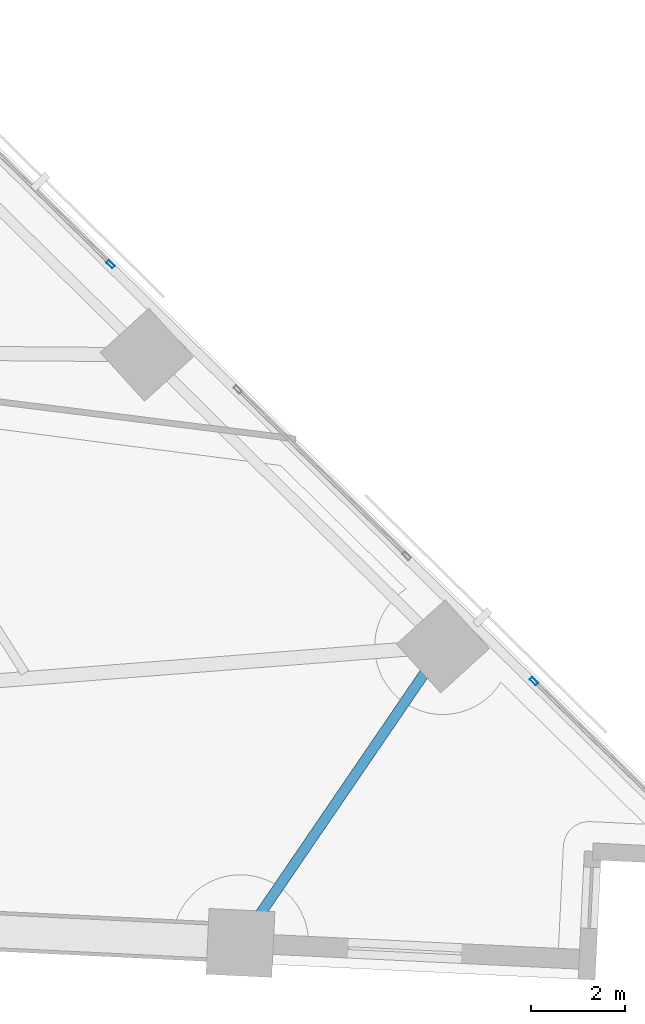
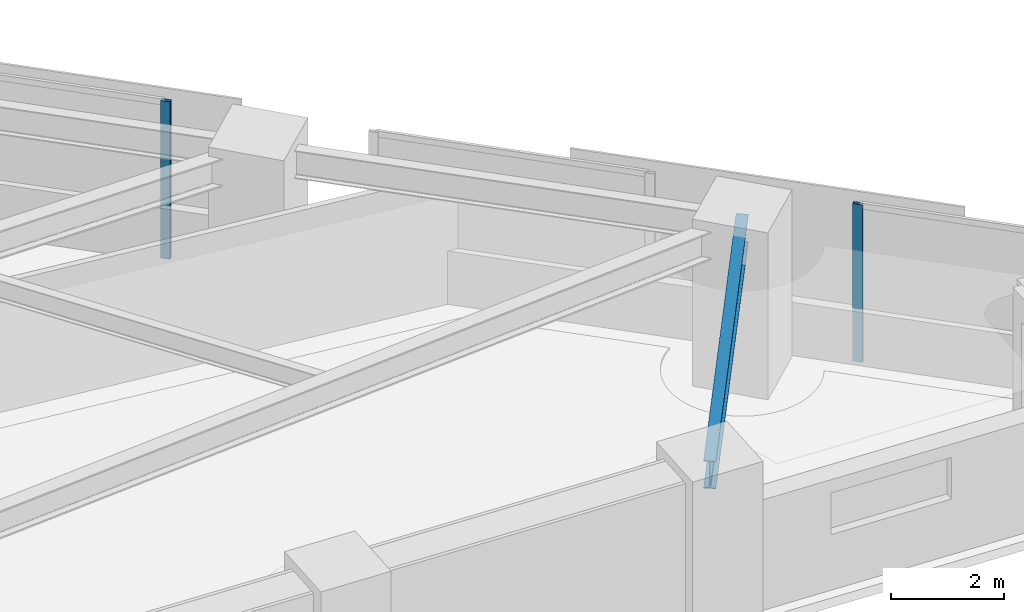
# One storey, part 4 of 17: 2 members, 1 beam, 2 elements without a shape of their own.
"""IFC4 building model written with IfcOpenShell, lengths in metres."""

from ifc_helpers import new_model, si_unit, direction, frame, origin, origin_2d, place, context, subcontext, project, spatial, hollow_rectangle, i_section, extrude, material, material_profile, profile_set, type_object, element, aggregate, save


model = new_model("IFC4")

# Units and contexts
model_context = context("Model", 3, precision=1e-05, world=origin(), true_north=direction((0.0, 1.0)))
body_context = subcontext(model_context, "Body", "Model", "MODEL_VIEW")
ifc_project = project(units=[si_unit("LENGTHUNIT", "METRE"), si_unit("AREAUNIT", "SQUARE_METRE"), si_unit("VOLUMEUNIT", "CUBIC_METRE"), si_unit("PLANEANGLEUNIT", "RADIAN"), si_unit("MASSUNIT", "GRAM", prefix="KILO")], contexts=[model_context])

# Site, building, storey
site_placement = place(None, origin())
site = spatial("IfcSite", under=ifc_project, at=site_placement, CompositionType="ELEMENT")
building_placement = place(site_placement, origin())
building = spatial("IfcBuilding", under=site, at=building_placement, Name="Narakoshi Arena Tower", CompositionType="ELEMENT")
storey_placement = place(building_placement, frame((0.0, 0.0, 51.89990234375)))
storey = spatial("IfcBuildingStorey", under=building, at=storey_placement, Name="L13", CompositionType="ELEMENT", Elevation=51.89990234375)

# Beam
ifc_material_1 = material(Name="Structural steel S355J2", Category="steel")
ifc_material_profile_1 = material_profile(ifc_material_1, i_section(OverallWidth=0.219970703125, OverallDepth=0.60009765625, WebThickness=0.011962890625, FlangeThickness=0.01904296875, FilletRadius=0.02392578125, at=origin_2d()), Name="IPE600")
ifc_profile_set_1 = profile_set([ifc_material_profile_1], Name="Structural steel S355J2")
beam_type = type_object("IfcBeamType", Name="BM-EDGE-600", PredefinedType="BEAM", material=ifc_profile_set_1)
beam_placement = place(storey_placement, frame((110.636474609375, 30.661865234375, 3.10009765625), z_axis=(0.563755333308, 0.825941840668, 0.0), x_axis=(-0.825941840668, 0.563755333308, 0.0)))
element("IfcBeam", 1, at=beam_placement, inside=storey, type_object=beam_type, Name="L13 Perimeter Edge Girder 04", PredefinedType="BEAM", context=body_context, shape_type="SweptSolid", body=[
    extrude(i_section(OverallWidth=0.219970703125, OverallDepth=0.60009765625, WebThickness=0.011962890625, FlangeThickness=0.01904296875, FilletRadius=0.02392578125, at=origin_2d()), origin(), (0.0, 0.0, 1.0), 7.637451171875),
])

# Curtain wall, member
ifc_material_2 = material(Name="Anodised bronze aluminium 6063-T6", Category="aluminium")
curtain_wall_type = type_object("IfcCurtainWallType", Name="CW-HYP-LOW", PredefinedType="NOTDEFINED", material=ifc_material_2)
curtain_wall_1_placement = place(storey_placement, origin())
curtain_wall_1 = element("IfcCurtainWall", 2, at=curtain_wall_1_placement, inside=storey, type_object=curtain_wall_type, Name="L13 Folded Hypotenuse Curtain Wall 1-1", PredefinedType="NOTDEFINED")
ifc_material_profile_2 = material_profile(ifc_material_2, hollow_rectangle(XDim=0.074951171875, YDim=0.179931640625, WallThickness=0.00390625, OuterFilletRadius=0.0048828125, at=origin_2d()), Name="MUL180x75x4")
ifc_profile_set_2 = profile_set([ifc_material_profile_2], Name="Anodised bronze aluminium 6063-T6")
member_type = type_object("IfcMemberType", Name="MEM-MUL-180", PredefinedType="MULLION", material=ifc_profile_set_2)
member_1_placement = place(storey_placement, frame((116.87744140625, 36.229248046875, 0.0), z_axis=(0.0, 0.0, 1.0), x_axis=(-0.701630192894, -0.712541277695, 0.0)))
member_1 = element("IfcMember", 3, at=member_1_placement, type_object=member_type, Name="CW-01 mullion 2", PredefinedType="MULLION", context=body_context, shape_type="SweptSolid", body=[
    extrude(hollow_rectangle(XDim=0.074951171875, YDim=0.179931640625, WallThickness=0.00390625, OuterFilletRadius=0.0048828125, at=origin_2d()), origin(), (0.0, 0.0, 1.0), 3.400146484375),
])
aggregate(curtain_wall_1, [member_1])

curtain_wall_2_placement = place(storey_placement, origin())
curtain_wall_2 = element("IfcCurtainWall", 4, at=curtain_wall_2_placement, inside=storey, type_object=curtain_wall_type, Name="L13 Folded Hypotenuse Curtain Wall 1-3", PredefinedType="NOTDEFINED")
member_2_placement = place(storey_placement, frame((107.872802734375, 45.095947265625, 0.0), z_axis=(0.0, 0.0, 1.0), x_axis=(-0.701632802488, -0.712538708053, 0.0)))
member_2 = element("IfcMember", 5, at=member_2_placement, type_object=member_type, Name="CW-01 mullion 1", PredefinedType="MULLION", context=body_context, shape_type="SweptSolid", body=[
    extrude(hollow_rectangle(XDim=0.074951171875, YDim=0.179931640625, WallThickness=0.00390625, OuterFilletRadius=0.0048828125, at=origin_2d()), origin(), (0.0, 0.0, 1.0), 3.400146484375),
])
aggregate(curtain_wall_2, [member_2])

save(model, "model.ifc")
